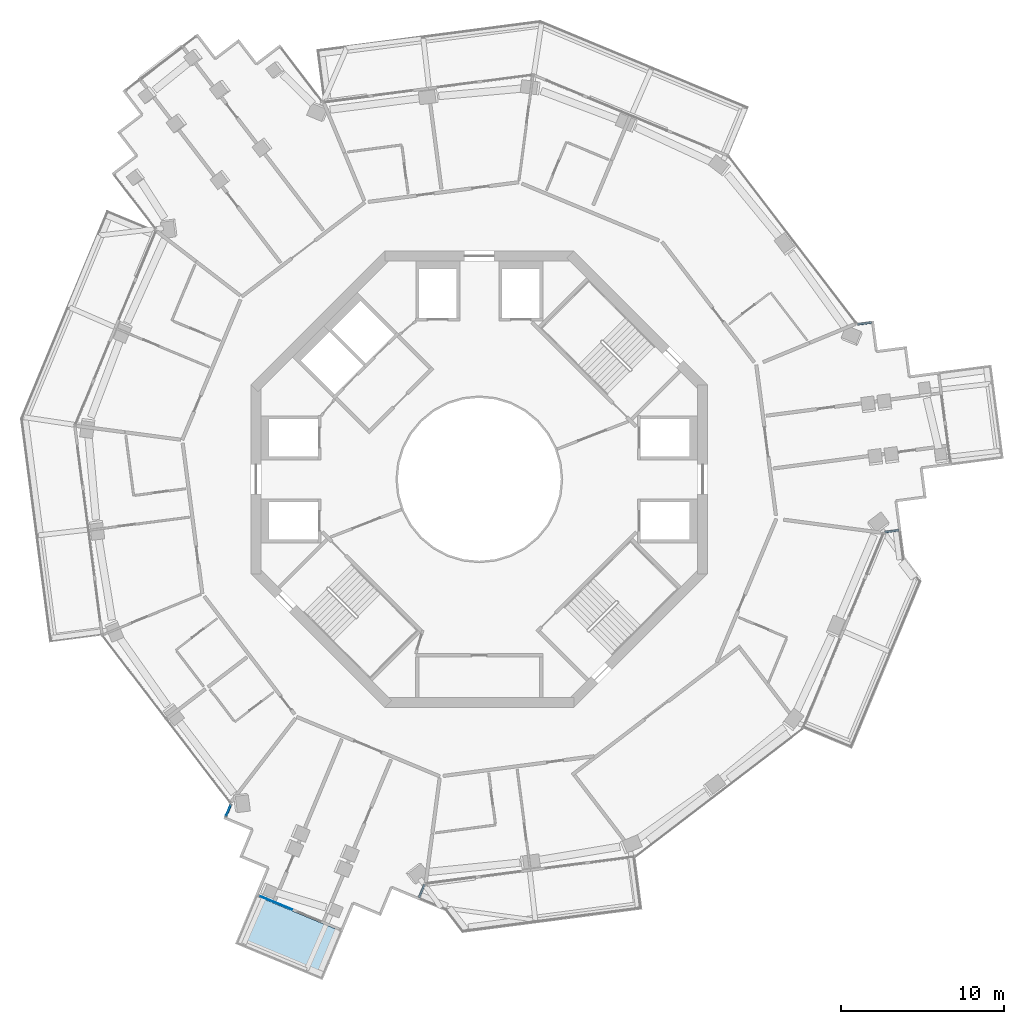
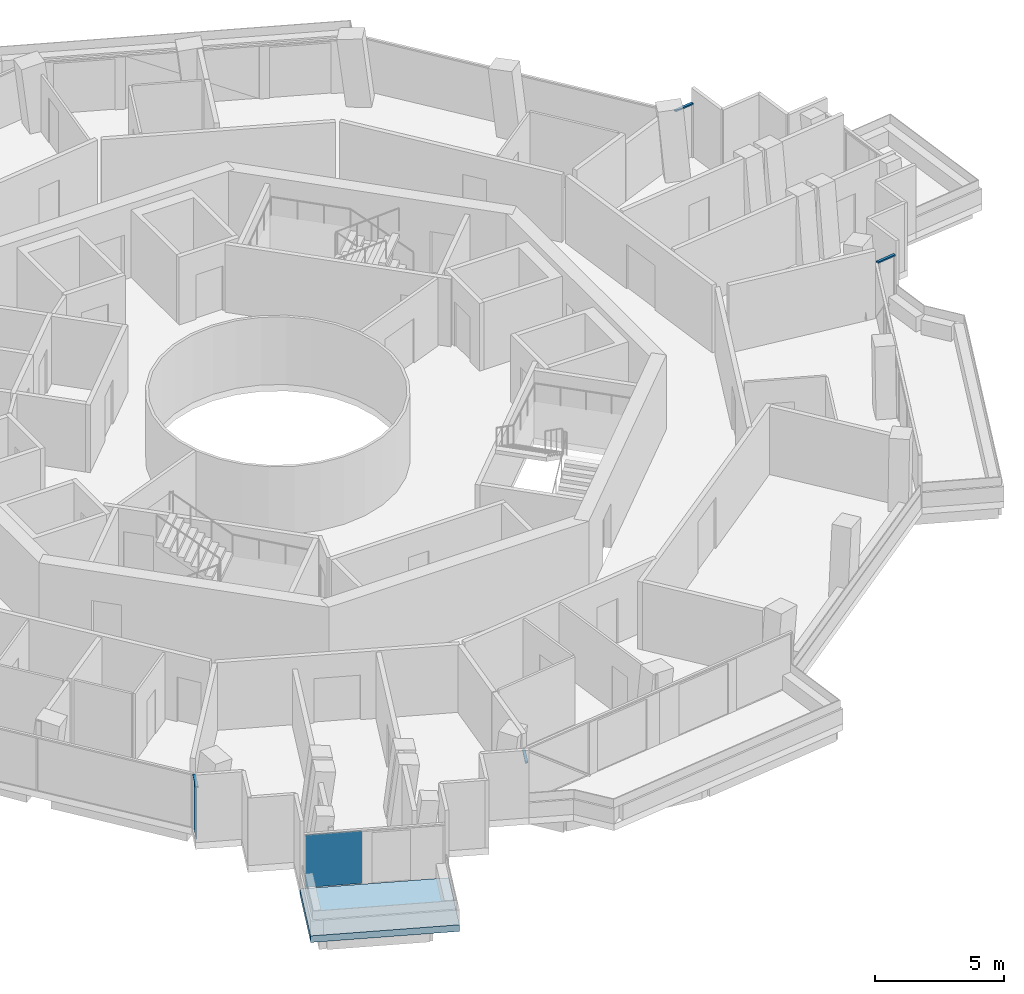
# One storey, part 11 of 25: 4 members, 2 plates, 1 slab, 5 elements without a shape of their own.
"""IFC4 building model written with IfcOpenShell, lengths in metres."""

import ifcopenshell
import ifcopenshell.guid

model = None  # the IFC model being written
_history = None  # IfcOwnerHistory: only IFC2X3 demands one
_inside = {}  # id of a spatial element -> (the spatial element, [elements in it])
_under = {}  # id of a project, library or spatial element -> (it, [spatial elements below it])
_declared = {}  # id of a project -> (the project, [libraries it declares])
_typed = {}  # id of a type object -> (the type object, [elements of that type])
_made_of = {}  # id of a material, layer set ... -> (it, [elements and type objects made of it])


def new_model(schema):
    """Start an empty IFC model of exactly this schema.

    Asked for "IFC4X3", IfcOpenShell would pick the latest addendum, in which some entities
    have other attributes; the version numbers below select the first issue.
    IFC2X3 requires an IfcOwnerHistory on every rooted entity: one is made here for all.
    """
    global model, _history
    if schema == "IFC4X3":
        model = ifcopenshell.file(schema_version=(4, 3, 0, 0))
    else:
        model = ifcopenshell.file(schema=schema)
    _inside.clear()
    _under.clear()
    _declared.clear()
    _typed.clear()
    _made_of.clear()
    _history = None
    if model.schema == "IFC2X3":
        org = make("IfcOrganization", Name="unknown")
        user = make(
            "IfcPersonAndOrganization",
            ThePerson=make("IfcPerson", FamilyName="unknown"),
            TheOrganization=org,
        )
        app = make(
            "IfcApplication",
            ApplicationDeveloper=org,
            Version="unknown",
            ApplicationFullName="unknown",
            ApplicationIdentifier="unknown",
        )
        _history = make(
            "IfcOwnerHistory",
            OwningUser=user,
            OwningApplication=app,
            ChangeAction="ADDED",
            CreationDate=0,
        )
    return model


def make(cls, **values):
    """One entity of the class cls with the attributes given. An attribute that is None is left unset."""
    return model.create_entity(
        cls, **{name: value for name, value in values.items() if value is not None}
    )


def rooted(cls, **values):
    """An entity with a GlobalId (a new one), such as an element, a storey or a relation."""
    return make(cls, GlobalId=ifcopenshell.guid.new(), OwnerHistory=_history, **values)


def si_unit(unit_type, name, prefix=None):
    """IfcSIUnit, for example si_unit("LENGTHUNIT", "METRE", prefix="MILLI")."""
    return make("IfcSIUnit", UnitType=unit_type, Prefix=prefix, Name=name)


def assignment(units):
    """IfcUnitAssignment: the units of a project."""
    return None if units is None else make("IfcUnitAssignment", Units=units)


def point(xyz):
    """IfcCartesianPoint."""
    return None if xyz is None else make("IfcCartesianPoint", Coordinates=xyz)


def direction(xyz):
    """IfcDirection."""
    return None if xyz is None else make("IfcDirection", DirectionRatios=xyz)


def frame(location, z_axis=None, x_axis=None):
    """IfcAxis2Placement3D, a coordinate frame: its origin and axes. An axis left out is left unset."""
    return make(
        "IfcAxis2Placement3D",
        Location=point(location),
        Axis=direction(z_axis),
        RefDirection=direction(x_axis),
    )


def frame_2d(location, x_axis=None):
    """IfcAxis2Placement2D, a coordinate frame in the plane: its origin and x axis."""
    return make(
        "IfcAxis2Placement2D", Location=point(location), RefDirection=direction(x_axis)
    )


def origin():
    """The frame at (0, 0, 0) with its axes left unset."""
    return frame((0.0, 0.0, 0.0))


def origin_2d():
    """The frame at (0, 0) in the plane with its x axis left unset."""
    return frame_2d((0.0, 0.0))


def place(relative_to, where):
    """IfcLocalPlacement: puts the frame where relative to a parent placement (None: the world)."""
    return make(
        "IfcLocalPlacement", PlacementRelTo=relative_to, RelativePlacement=where
    )


def context(
    kind, dimensions, precision=None, world=None, true_north=None, identifier=None
):
    """IfcGeometricRepresentationContext, for example the 3D "Model" context."""
    return make(
        "IfcGeometricRepresentationContext",
        ContextIdentifier=identifier,
        ContextType=kind,
        CoordinateSpaceDimension=dimensions,
        Precision=precision,
        WorldCoordinateSystem=world,
        TrueNorth=true_north,
    )


def subcontext(parent, identifier, kind, view, scale=None):
    """IfcGeometricRepresentationSubContext, for example "Body" below "Model"."""
    return make(
        "IfcGeometricRepresentationSubContext",
        ContextIdentifier=identifier,
        ContextType=kind,
        ParentContext=parent,
        TargetScale=scale,
        TargetView=view,
    )


def project(units=None, contexts=None):
    """IfcProject with its units and contexts."""
    return rooted(
        "IfcProject",
        Name="project",
        RepresentationContexts=contexts,
        UnitsInContext=assignment(units),
    )


def spatial(cls, under=None, at=None, **own):
    """A site, building, storey or space (cls), placed at a placement, below another one or the project."""
    s = rooted(cls, ObjectPlacement=at, **own)
    if under is not None:
        _under.setdefault(under.id(), (under, []))[1].append(s)
    return s


def polyline(points):
    """IfcPolyline through the points."""
    return make("IfcPolyline", Points=[point(p) for p in points])


def profile(cls, at=None, kind="AREA", **sizes):
    """A parametric profile (cls). Its sizes go by their IFC names, for example OverallWidth=200.0."""
    return make(cls, ProfileType=kind, Position=at, **sizes)


def rectangle(**sizes):
    """IfcRectangleProfileDef."""
    return profile("IfcRectangleProfileDef", **sizes)


def outline(outer, holes=None, kind="AREA"):
    """IfcArbitraryClosedProfileDef: a profile drawn as a closed curve; with holes, ...WithVoids."""
    if holes is None:
        return make("IfcArbitraryClosedProfileDef", ProfileType=kind, OuterCurve=outer)
    return make(
        "IfcArbitraryProfileDefWithVoids",
        ProfileType=kind,
        OuterCurve=outer,
        InnerCurves=holes,
    )


def extrude(swept, where, along, depth):
    """IfcExtrudedAreaSolid: the profile swept, set in the frame where, extruded along a direction by depth."""
    return make(
        "IfcExtrudedAreaSolid",
        SweptArea=swept,
        Position=where,
        ExtrudedDirection=direction(along),
        Depth=depth,
    )


def shape(context_of_items, identifier, shape_type, items):
    """IfcShapeRepresentation: the items that make up one representation, for example the "Body"."""
    return make(
        "IfcShapeRepresentation",
        ContextOfItems=context_of_items,
        RepresentationIdentifier=identifier,
        RepresentationType=shape_type,
        Items=items,
    )


def material(Name=None, Category=None):
    """IfcMaterial."""
    return make("IfcMaterial", Name=Name, Category=Category)


def layer(
    of_material, thickness, ventilated=None, Name=None, Category=None, Priority=None
):
    """IfcMaterialLayer: one layer of a wall or slab, of a material (None: an air gap)."""
    return make(
        "IfcMaterialLayer",
        Material=of_material,
        LayerThickness=thickness,
        IsVentilated=ventilated,
        Name=Name,
        Category=Category,
        Priority=Priority,
    )


def layer_set(layers, Name=None):
    """IfcMaterialLayerSet."""
    return make("IfcMaterialLayerSet", MaterialLayers=layers, LayerSetName=Name)


def material_profile(
    of_material, cross_section, Name=None, Category=None, Priority=None
):
    """IfcMaterialProfile: a cross section and its material."""
    return make(
        "IfcMaterialProfile",
        Name=Name,
        Material=of_material,
        Profile=cross_section,
        Priority=Priority,
        Category=Category,
    )


def profile_set(profiles, Name=None, composite=None):
    """IfcMaterialProfileSet."""
    return make(
        "IfcMaterialProfileSet",
        Name=Name,
        MaterialProfiles=profiles,
        CompositeProfile=composite,
    )


def made_of(thing, what):
    """Note that an element or type object is made of a material, layer set ...; save() writes the relation."""
    if what is not None:
        _made_of.setdefault(what.id(), (what, []))[1].append(thing)
    return thing


def type_object(cls, material=None, **own):
    """A type object (cls), such as IfcWallType, which elements share."""
    return made_of(rooted(cls, **own), material)


def element(
    cls,
    number,
    at=None,
    inside=None,
    cuts=None,
    type_object=None,
    material=None,
    context=None,
    identifier="Body",
    shape_type=None,
    held_by="IfcProductDefinitionShape",
    body=None,
    shapes=None,
    **own,
):
    """One element of the class cls, such as IfcWall. Its Tag is "e" and its number.

    at: its placement. inside: the storey or other place that contains it. cuts: it is an
    opening in that element (IfcRelVoidsElement). A single representation is given by context,
    identifier, shape_type and body (its items); several are given by shapes. held_by: the class
    of the entity that holds the representations. save() writes the other relations.
    """
    e = rooted(cls, Tag="e%d" % number, ObjectPlacement=at, **own)
    if body is not None:
        shapes = [shape(context, identifier, shape_type, body)]
    if shapes is not None:
        e.Representation = make(held_by, Representations=shapes)
    if inside is not None:
        _inside.setdefault(inside.id(), (inside, []))[1].append(e)
    if cuts is not None:
        rooted(
            "IfcRelVoidsElement", RelatingBuildingElement=cuts, RelatedOpeningElement=e
        )
    if type_object is not None:
        _typed.setdefault(type_object.id(), (type_object, []))[1].append(e)
    return made_of(e, material)


def aggregate(whole, parts):
    """IfcRelAggregates: a whole, such as a stair, and the parts it consists of."""
    return rooted("IfcRelAggregates", RelatingObject=whole, RelatedObjects=parts)


def save(model, path):
    """Write the relations noted so far, then the file.

    IfcRelAggregates (storeys below a building ...), IfcRelContainedInSpatialStructure (elements
    in a storey), IfcRelDefinesByType, IfcRelAssociatesMaterial and IfcRelDeclares: one each for
    every whole, place, type object, material and project.
    """
    for whole, parts in _under.values():
        aggregate(whole, parts)
    for where, things in _inside.values():
        rooted(
            "IfcRelContainedInSpatialStructure",
            RelatedElements=things,
            RelatingStructure=where,
        )
    for kind, things in _typed.values():
        rooted("IfcRelDefinesByType", RelatedObjects=things, RelatingType=kind)
    for what, things in _made_of.values():
        rooted("IfcRelAssociatesMaterial", RelatedObjects=things, RelatingMaterial=what)
    for by, libraries in _declared.values():
        rooted("IfcRelDeclares", RelatingContext=by, RelatedDefinitions=libraries)
    model.write(path)


model = new_model("IFC4")

# Units and contexts
model_context = context("Model", 3, precision=1e-05, world=origin(), true_north=direction((0.0, 1.0)))
body_context = subcontext(model_context, "Body", "Model", "MODEL_VIEW")
ifc_project = project(units=[si_unit("LENGTHUNIT", "METRE"), si_unit("AREAUNIT", "SQUARE_METRE"), si_unit("VOLUMEUNIT", "CUBIC_METRE"), si_unit("PLANEANGLEUNIT", "RADIAN"), si_unit("MASSUNIT", "GRAM", prefix="KILO")], contexts=[model_context])

# Site, building, storey
site_placement = place(None, origin())
site = spatial("IfcSite", under=ifc_project, at=site_placement, CompositionType="ELEMENT")
building_placement = place(site_placement, origin())
building = spatial("IfcBuilding", under=site, at=building_placement, Name="Verdalira Terraces Hotel", CompositionType="ELEMENT")
storey_placement = place(building_placement, frame((0.0, 0.0, 187.0)))
storey = spatial("IfcBuildingStorey", under=building, at=storey_placement, Name="L45", CompositionType="ELEMENT", Elevation=187.0)

# Curtain wall, member
ifc_material_1 = material(Name="Clear glass", Category="glass")
ifc_layer_1 = layer(ifc_material_1, 0.14990234375)
ifc_layer_set_1 = layer_set([ifc_layer_1], Name="CW2 curtain wall")
curtain_wall_type_1 = type_object("IfcCurtainWallType", Name="CW2 curtain wall", PredefinedType="NOTDEFINED", material=ifc_layer_set_1)
curtain_wall_1_placement = place(storey_placement, origin())
curtain_wall_1 = element("IfcCurtainWall", 1, at=curtain_wall_1_placement, inside=storey, type_object=curtain_wall_type_1, Name="CW2 curtain wall L45 edge 14", PredefinedType="NOTDEFINED")
ifc_material_2 = material(Name="Terracotta frame", Category="masonry")
ifc_material_profile = material_profile(ifc_material_2, rectangle(XDim=0.11499, YDim=0.064941, at=origin_2d()), Name="TR 65x115")
ifc_profile_set = profile_set([ifc_material_profile], Name="Terracotta frame")
member_type = type_object("IfcMemberType", Name="CW2 transom 65x115", PredefinedType="USERDEFINED", material=ifc_profile_set)
member_1_placement = place(storey_placement, frame((-15.23999, -19.937012, 2.507568), z_axis=(-0.383738227, -0.923441916, 0.0), x_axis=(0.923441916, -0.383738227, 0.0)))
member_1 = element("IfcMember", 2, at=member_1_placement, type_object=member_type, Name="CW2 transom", ObjectType="TRANSOM", PredefinedType="USERDEFINED", context=body_context, shape_type="SweptSolid", body=[
    extrude(rectangle(XDim=0.11499, YDim=0.064941, at=origin_2d()), origin(), (0.0, 0.0, 1.0), 0.850098),
])

curtain_wall_2_placement = place(storey_placement, origin())
curtain_wall_2 = element("IfcCurtainWall", 3, at=curtain_wall_2_placement, inside=storey, type_object=curtain_wall_type_1, Name="CW2 curtain wall L45 edge 24", PredefinedType="NOTDEFINED")
member_2_placement = place(storey_placement, frame((-3.699463, -25.651855, 2.507568), z_axis=(0.383738227, 0.923441916, 0.0), x_axis=(-0.923441916, 0.383738227, 0.0)))
member_2 = element("IfcMember", 4, at=member_2_placement, type_object=member_type, Name="CW2 transom", ObjectType="TRANSOM", PredefinedType="USERDEFINED", context=body_context, shape_type="SweptSolid", body=[
    extrude(rectangle(XDim=0.11499, YDim=0.064941, at=origin_2d()), origin(), (0.0, 0.0, 1.0), 0.850098),
])
aggregate(curtain_wall_2, [member_2])

curtain_wall_3_placement = place(storey_placement, origin())
curtain_wall_3 = element("IfcCurtainWall", 5, at=curtain_wall_3_placement, inside=storey, type_object=curtain_wall_type_1, Name="CW2 curtain wall L45 edge 28", PredefinedType="NOTDEFINED")
member_3_placement = place(storey_placement, frame((24.885986, -3.229736, 2.507568), z_axis=(0.991577978, 0.129511054, 0.0), x_axis=(-0.129511054, 0.991577978, 0.0)))
member_3 = element("IfcMember", 6, at=member_3_placement, type_object=member_type, Name="CW2 transom", ObjectType="TRANSOM", PredefinedType="USERDEFINED", context=body_context, shape_type="SweptSolid", body=[
    extrude(rectangle(XDim=0.11499, YDim=0.064941, at=origin_2d()), origin(), (0.0, 0.0, 1.0), 0.850098),
])
aggregate(curtain_wall_3, [member_3])

curtain_wall_4_placement = place(storey_placement, origin())
curtain_wall_4 = element("IfcCurtainWall", 7, at=curtain_wall_4_placement, inside=storey, type_object=curtain_wall_type_1, Name="CW2 curtain wall L45 edge 38", PredefinedType="NOTDEFINED")
member_4_placement = place(storey_placement, frame((24.064941, 9.62207, 2.507568), z_axis=(-0.99157316, -0.129547942, 0.0), x_axis=(0.129547942, -0.99157316, 0.0)))
member_4 = element("IfcMember", 8, at=member_4_placement, type_object=member_type, Name="CW2 transom", ObjectType="TRANSOM", PredefinedType="USERDEFINED", context=body_context, shape_type="SweptSolid", body=[
    extrude(rectangle(XDim=0.11499, YDim=0.064941, at=origin_2d()), origin(), (0.0, 0.0, 1.0), 0.849854),
])
aggregate(curtain_wall_4, [member_4])

# Slab
ifc_material_3 = material(Name="Precast concrete C40/50", Category="concrete")
ifc_layer_2 = layer(ifc_material_3, 0.31005859375)
ifc_layer_set_2 = layer_set([ifc_layer_2], Name="Balcony deck 310")
slab_type = type_object("IfcSlabType", Name="Balcony deck 310", PredefinedType="FLOOR", material=ifc_layer_set_2)
slab_placement = place(storey_placement, frame((0.0, 0.0, -0.310059)))
element("IfcSlab", 9, at=slab_placement, inside=storey, type_object=slab_type, Name="Balcony deck", PredefinedType="FLOOR", context=body_context, shape_type="SweptSolid", body=[
    extrude(outline(polyline([(-9.621094, -30.717773), (-8.393311, -27.762695), (-13.749512, -25.537354), (-14.977295, -28.492676), (-9.621094, -30.717773)])), origin(), (0.0, 0.0, 1.0), 0.310059),
])

# Plate
ifc_material_4 = material(Name="Clear glass", Category="glass")
ifc_layer_3 = layer(ifc_material_4, 0.031982421875)
ifc_layer_set_3 = layer_set([ifc_layer_3], Name="CW2 glass unit 32")
plate_type_1 = type_object("IfcPlateType", Name="CW2 glass unit 32", PredefinedType="CURTAIN_PANEL", material=ifc_layer_set_3)
plate_1_placement = place(storey_placement, frame((-15.403076, -20.32959, 0.0), z_axis=(0.0, 0.0, 1.0), x_axis=(-0.383650707, -0.923478281, 0.0)))
plate_1 = element("IfcPlate", 10, at=plate_1_placement, type_object=plate_type_1, Name="CW2 glass unit", PredefinedType="CURTAIN_PANEL", context=body_context, shape_type="SweptSolid", body=[
    extrude(rectangle(XDim=0.709961, YDim=0.031982, at=origin_2d()), origin(), (0.0, 0.0, 1.0), 2.475098),
])

aggregate(curtain_wall_1, [member_1, plate_1])

# Curtain wall, plate
ifc_material_5 = material(Name="Clear glass", Category="glass")
ifc_layer_4 = layer(ifc_material_5, 0.14990234375)
ifc_layer_set_4 = layer_set([ifc_layer_4], Name="CW3 curtain wall")
curtain_wall_type_2 = type_object("IfcCurtainWallType", Name="CW3 curtain wall", PredefinedType="NOTDEFINED", material=ifc_layer_set_4)
curtain_wall_5_placement = place(storey_placement, origin())
curtain_wall_5 = element("IfcCurtainWall", 11, at=curtain_wall_5_placement, inside=storey, type_object=curtain_wall_type_2, Name="CW3 curtain wall L45 edge 19", PredefinedType="NOTDEFINED")
ifc_material_6 = material(Name="Clear glass", Category="glass")
ifc_layer_5 = layer(ifc_material_6, 0.035888671875)
ifc_layer_set_5 = layer_set([ifc_layer_5], Name="CW3 glass unit 36")
plate_type_2 = type_object("IfcPlateType", Name="CW3 glass unit 36", PredefinedType="CURTAIN_PANEL", material=ifc_layer_set_5)
plate_2_placement = place(storey_placement, frame((-12.501953, -25.974609, 0.0), z_axis=(0.0, 0.0, 1.0), x_axis=(0.923478281, -0.383650707, 0.0)))
plate_2 = element("IfcPlate", 12, at=plate_2_placement, type_object=plate_type_2, Name="CW3 glass unit", PredefinedType="CURTAIN_PANEL", context=body_context, shape_type="SweptSolid", body=[
    extrude(rectangle(XDim=2.179932, YDim=0.035889, at=origin_2d()), origin(), (0.0, 0.0, 1.0), 2.475098),
])
aggregate(curtain_wall_5, [plate_2])

save(model, "model.ifc")
